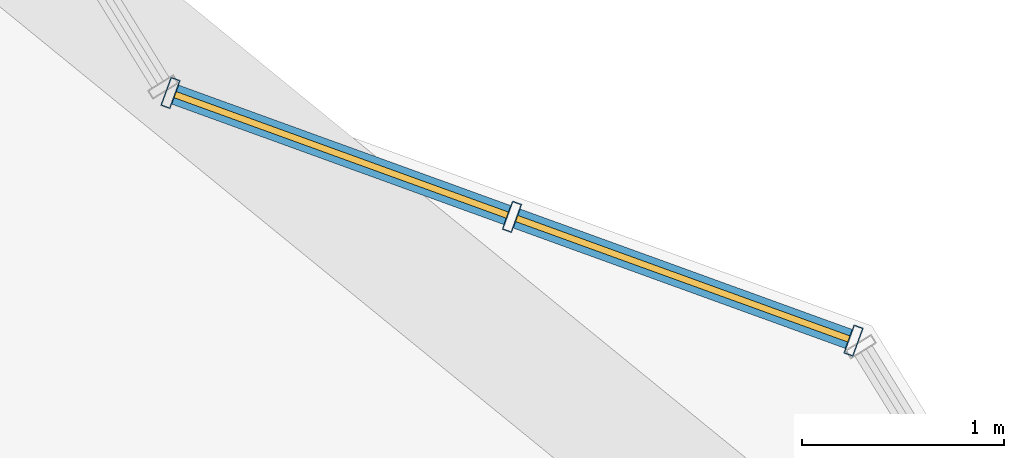
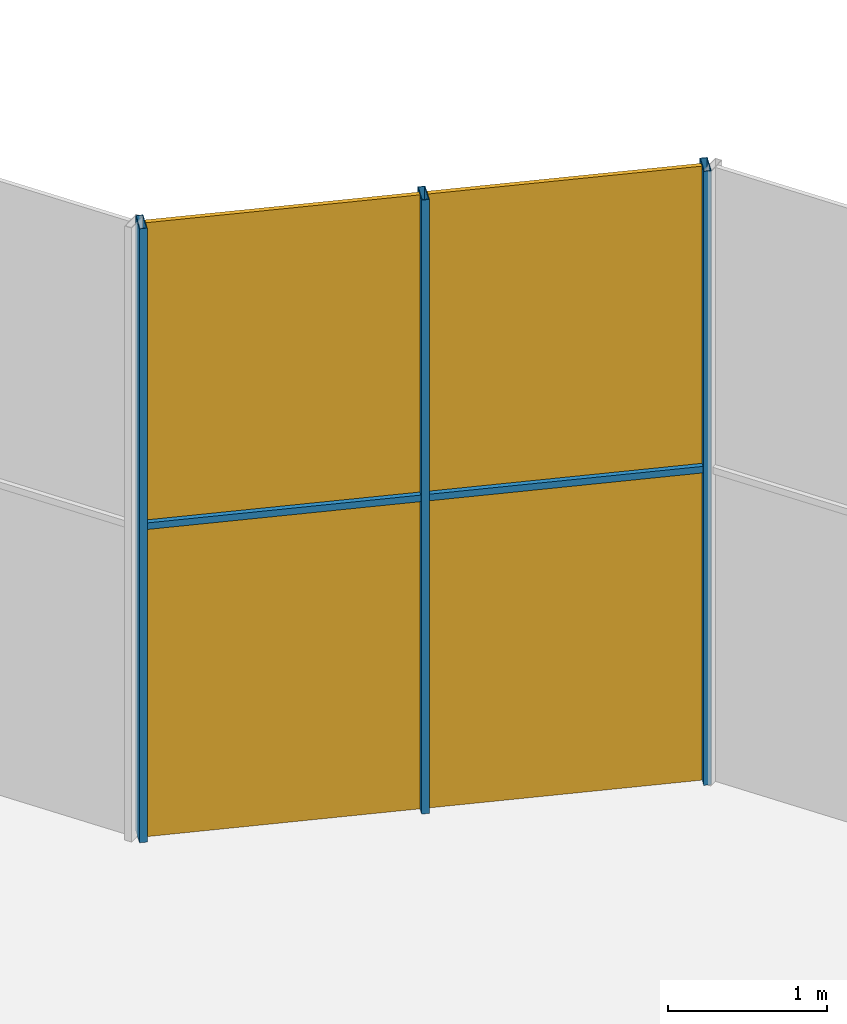
# One storey, part 39 of 41: 5 members, 1 curtain wall.
"""IFC4 building model written with IfcOpenShell, lengths in metres."""

from ifc_helpers import new_model, si_unit, direction, frame, origin, origin_2d, place, context, subcontext, project, spatial, rectangle, hollow_rectangle, extrude, material, material_profile, profile_set, type_object, element, aggregate, save


model = new_model("IFC4")

# Units and contexts
model_context = context("Model", 3, precision=1e-05, world=origin(), true_north=direction((0.0, 1.0)))
body_context = subcontext(model_context, "Body", "Model", "MODEL_VIEW")
ifc_project = project(units=[si_unit("LENGTHUNIT", "METRE"), si_unit("AREAUNIT", "SQUARE_METRE"), si_unit("VOLUMEUNIT", "CUBIC_METRE"), si_unit("PLANEANGLEUNIT", "RADIAN"), si_unit("MASSUNIT", "GRAM", prefix="KILO")], contexts=[model_context])

# Member
ifc_material = material(Name="Steel S355", Category="steel")
ifc_material_profile_1 = material_profile(ifc_material, hollow_rectangle(XDim=0.14990234375, YDim=0.050048828125, WallThickness=0.0048828125, at=origin_2d()))
ifc_profile_set_1 = profile_set([ifc_material_profile_1], Name="Steel S355")
member_type_1 = type_object("IfcMemberType", Name="Mullion RHS 150x50x5 steel S355", PredefinedType="MULLION", material=ifc_profile_set_1)
site_placement = place(None, origin())
building_placement = place(site_placement, origin())
storey_placement = place(building_placement, frame((0.0, 0.0, 284.699951171875)))
member_1_placement = place(storey_placement, frame((58.732177734375, -46.44091796875, 0.0), z_axis=(0.0, 0.0, 1.0), x_axis=(-0.340992958417, -0.940065849986, 0.0)))
member_1 = element("IfcMember", 1, at=member_1_placement, type_object=member_type_1, Name="e-cw5-L69-capE1/M00", PredefinedType="MULLION", context=body_context, shape_type="SweptSolid", body=[
    extrude(hollow_rectangle(XDim=0.14990234375, YDim=0.050048828125, WallThickness=0.0048828125, at=origin_2d()), origin(), (0.0, 0.0, 1.0), 4.699951171875),
])

member_2_placement = place(storey_placement, frame((57.04296875, -45.828369140625, 0.0), z_axis=(0.0, 0.0, 1.0), x_axis=(-0.340992958417, -0.940065849986, 0.0)))
member_2 = element("IfcMember", 2, at=member_2_placement, type_object=member_type_1, Name="e-cw5-L69-capE1/M01", PredefinedType="MULLION", context=body_context, shape_type="SweptSolid", body=[
    extrude(hollow_rectangle(XDim=0.14990234375, YDim=0.050048828125, WallThickness=0.0048828125, at=origin_2d()), origin(), (0.0, 0.0, 1.0), 4.699951171875),
])

member_3_placement = place(storey_placement, frame((55.353759765625, -45.215576171875, 0.0), z_axis=(0.0, 0.0, 1.0), x_axis=(-0.340992958417, -0.940065849986, 0.0)))
member_3 = element("IfcMember", 3, at=member_3_placement, type_object=member_type_1, Name="e-cw5-L69-capE1/M02", PredefinedType="MULLION", context=body_context, shape_type="SweptSolid", body=[
    extrude(hollow_rectangle(XDim=0.14990234375, YDim=0.050048828125, WallThickness=0.0048828125, at=origin_2d()), origin(), (0.0, 0.0, 1.0), 4.699951171875),
])

ifc_material_profile_2 = material_profile(ifc_material, hollow_rectangle(XDim=0.10009765625, YDim=0.050048828125, WallThickness=0.00390625, at=origin_2d()))
ifc_profile_set_2 = profile_set([ifc_material_profile_2], Name="Steel S355")
member_type_2 = type_object("IfcMemberType", Name="Transom RHS 100x50x4 steel S355", PredefinedType="USERDEFINED", material=ifc_profile_set_2)
member_4_placement = place(storey_placement, frame((58.70849609375, -46.432373046875, 2.400146484375), z_axis=(-0.940099114256, 0.340901239915, 0.0), x_axis=(-0.340901239915, -0.940099114256, 0.0)))
member_4 = element("IfcMember", 4, at=member_4_placement, type_object=member_type_2, Name="e-cw5-L69-capE1/T00", ObjectType="TRANSOM", PredefinedType="USERDEFINED", context=body_context, shape_type="SweptSolid", body=[
    extrude(hollow_rectangle(XDim=0.10009765625, YDim=0.050048828125, WallThickness=0.00390625, at=origin_2d()), origin(), (0.0, 0.0, 1.0), 1.746826171875),
])

member_5_placement = place(storey_placement, frame((57.01953125, -45.81982421875, 2.400146484375), z_axis=(-0.940054314362, 0.341024758704, 0.0), x_axis=(-0.341024758704, -0.940054314362, 0.0)))
member_5 = element("IfcMember", 5, at=member_5_placement, type_object=member_type_2, Name="e-cw5-L69-capE1/T01", ObjectType="TRANSOM", PredefinedType="USERDEFINED", context=body_context, shape_type="SweptSolid", body=[
    extrude(hollow_rectangle(XDim=0.10009765625, YDim=0.050048828125, WallThickness=0.00390625, at=origin_2d()), origin(), (0.0, 0.0, 1.0), 1.746826171875),
])

# Site, building, storey
site = spatial("IfcSite", under=ifc_project, at=site_placement, CompositionType="ELEMENT")
building = spatial("IfcBuilding", under=site, at=building_placement, Name="Qamariyya Broadcast Tower", CompositionType="ELEMENT")
storey = spatial("IfcBuildingStorey", under=building, at=storey_placement, Name="L69", CompositionType="ELEMENT", Elevation=284.699951171875)

# Curtain wall
curtain_wall_type = type_object("IfcCurtainWallType", Name="Observation gallery all-glass wall, steel mullions", PredefinedType="NOTDEFINED", material=ifc_material)
curtain_wall_placement = place(storey_placement, origin())
curtain_wall = element("IfcCurtainWall", 6, at=curtain_wall_placement, inside=storey, type_object=curtain_wall_type, Name="e-cw5-L69-capE1", PredefinedType="NOTDEFINED", context=body_context, shape_type="SweptSolid", body=[
    extrude(rectangle(XDim=1.746826171875, YDim=0.031982421875, at=origin_2d()), frame((57.887451171875, -46.134521484375, 0.0), x_axis=(-0.940068959463, 0.340984385938, 0.0)), (0.0, 0.0, 1.0), 2.375),
    extrude(rectangle(XDim=1.746826171875, YDim=0.031982421875, at=origin_2d()), frame((57.887451171875, -46.134521484375, 2.425048828125), x_axis=(-0.940068959463, 0.340984385938, 0.0)), (0.0, 0.0, 1.0), 2.27490234375),
    extrude(rectangle(XDim=1.746826171875, YDim=0.031982421875, at=origin_2d()), frame((56.198486328125, -45.52197265625, 0.0), x_axis=(-0.940068959463, 0.340984385938, 0.0)), (0.0, 0.0, 1.0), 2.375),
    extrude(rectangle(XDim=1.746826171875, YDim=0.031982421875, at=origin_2d()), frame((56.198486328125, -45.52197265625, 2.425048828125), x_axis=(-0.940068959463, 0.340984385938, 0.0)), (0.0, 0.0, 1.0), 2.27490234375),
])

aggregate(curtain_wall, [member_1, member_2, member_3, member_4, member_5])

save(model, "model.ifc")
